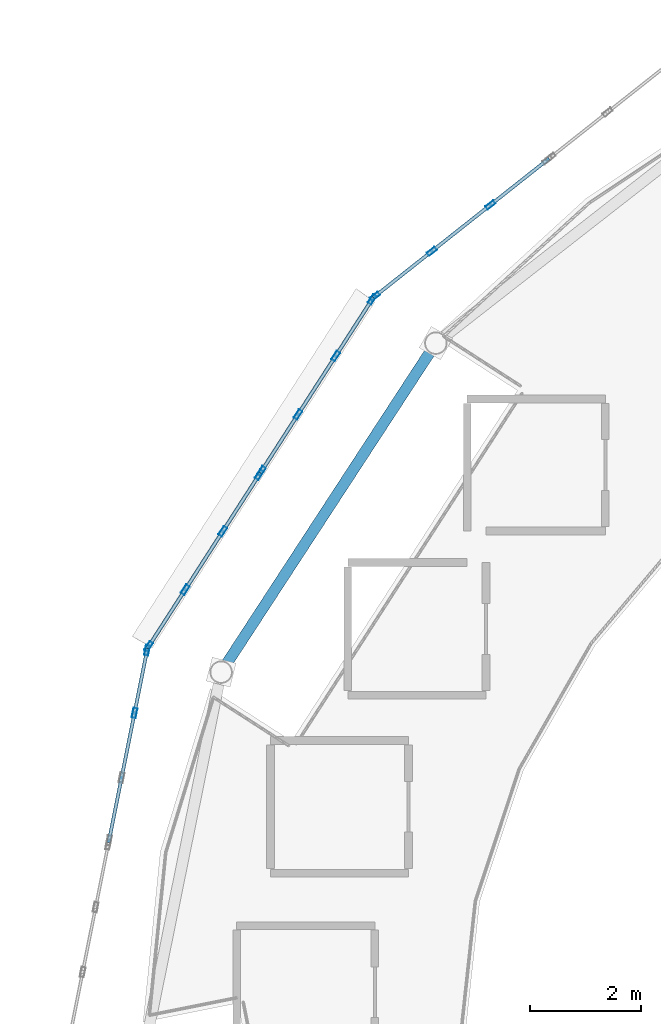
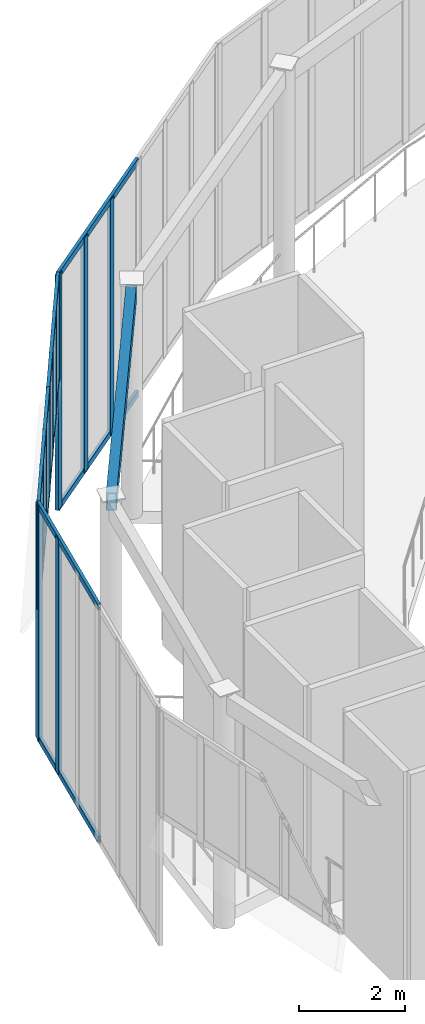
# One storey, part 43 of 98: 21 members, 1 beam, 4 elements without a shape of their own.
"""IFC4 building model written with IfcOpenShell, lengths in metres."""

from ifc_helpers import new_model, si_unit, direction, frame, origin, origin_2d, place, context, subcontext, project, spatial, hollow_rectangle, extrude, material, layer, layer_set, material_profile, profile_set, type_object, element, aggregate, save


model = new_model("IFC4")

# Units and contexts
model_context = context("Model", 3, precision=1e-05, world=origin(), true_north=direction((0.0, 1.0)))
body_context = subcontext(model_context, "Body", "Model", "MODEL_VIEW")
ifc_project = project(units=[si_unit("LENGTHUNIT", "METRE"), si_unit("AREAUNIT", "SQUARE_METRE"), si_unit("VOLUMEUNIT", "CUBIC_METRE"), si_unit("PLANEANGLEUNIT", "RADIAN"), si_unit("MASSUNIT", "GRAM", prefix="KILO")], contexts=[model_context])

# Site, building, storey
site_placement = place(None, origin())
site = spatial("IfcSite", under=ifc_project, at=site_placement, CompositionType="ELEMENT")
building_placement = place(site_placement, origin())
building = spatial("IfcBuilding", under=site, at=building_placement, Name="Sollismere Congress Hotel", CompositionType="ELEMENT")
storey_placement = place(building_placement, frame((0.0, 0.0, 5.39990234375)))
storey = spatial("IfcBuildingStorey", under=building, at=storey_placement, Name="L01", CompositionType="ELEMENT", Elevation=5.39990234375)

# Beam
ifc_material_1 = material(Name="Steel ASTM A500 Grade C", Category="steel")
ifc_material_profile_1 = material_profile(ifc_material_1, hollow_rectangle(XDim=0.199951171875, YDim=0.39990234375, WallThickness=0.011962890625, at=origin_2d()), Name="HSS400X200X12")
ifc_profile_set_1 = profile_set([ifc_material_profile_1], Name="Steel ASTM A500 Grade C")
beam_type = type_object("IfcBeamType", Name="BM-BX400", PredefinedType="HOLLOWCORE", material=ifc_profile_set_1)
beam_placement = place(storey_placement, frame((6.807861328125, 102.8486328125, 5.150146484375), z_axis=(-0.546593071312, -0.837398360635, 0.0), x_axis=(0.837398360635, -0.546593071312, 0.0)))
element("IfcBeam", 1, at=beam_placement, inside=storey, type_object=beam_type, Name="Beam BM-L01-4194", PredefinedType="HOLLOWCORE", context=body_context, shape_type="SweptSolid", body=[
    extrude(hollow_rectangle(XDim=0.199951171875, YDim=0.39990234375, WallThickness=0.011962890625, at=origin_2d()), origin(), (0.0, 0.0, 1.0), 6.867431640625),
])

# Curtain wall, members
ifc_material_2 = material(Name="Anodized Bronze Curtain Wall & Low-E Triple Glazing", Category="glass")
ifc_layer = layer(ifc_material_2, 0.199951171875, Name="Anodized Bronze Curtain Wall & Low-E Triple Glazing")
ifc_layer_set = layer_set([ifc_layer], Name="Anodized Bronze Curtain Wall & Low-E Triple Glazing")
curtain_wall_type = type_object("IfcCurtainWallType", Name="CW-GLZ36", PredefinedType="USERDEFINED", material=ifc_layer_set)
curtain_wall_1_placement = place(storey_placement, origin())
curtain_wall_1 = element("IfcCurtainWall", 2, at=curtain_wall_1_placement, inside=storey, type_object=curtain_wall_type, Name="Unitised curtain wall CW-L01-030", ObjectType="UNITISED CURTAIN WALL", PredefinedType="USERDEFINED")
ifc_material_3 = material(Name="Anodized Aluminum 6063-T6", Category="aluminium")
ifc_material_profile_2 = material_profile(ifc_material_3, hollow_rectangle(XDim=0.074951171875, YDim=0.179931640625, WallThickness=0.0048828125, at=origin_2d()), Name="ALU180X75X5")
ifc_profile_set_2 = profile_set([ifc_material_profile_2], Name="Anodized Aluminum 6063-T6")
member_type_1 = type_object("IfcMemberType", Name="ML-CW180", PredefinedType="MULLION", material=ifc_profile_set_2)
member_1_placement = place(storey_placement, frame((7.86083984375, 105.44970703125, 0.0), z_axis=(0.0, 0.0, 1.0), x_axis=(0.620532077362, -0.784181063891, 0.0)))
member_1 = element("IfcMember", 3, at=member_1_placement, type_object=member_type_1, Name="CWL-CW-L01-030-ML02", PredefinedType="MULLION", context=body_context, shape_type="SweptSolid", body=[
    extrude(hollow_rectangle(XDim=0.074951171875, YDim=0.179931640625, WallThickness=0.0048828125, at=origin_2d()), origin(), (0.0, 0.0, 1.0), 5.420166015625),
])
member_2_placement = place(storey_placement, frame((6.80078125, 104.61083984375, 0.0), z_axis=(0.0, 0.0, 1.0), x_axis=(0.620532077362, -0.784181063891, 0.0)))
member_2 = element("IfcMember", 4, at=member_2_placement, type_object=member_type_1, Name="CWL-CW-L01-030-ML03", PredefinedType="MULLION", context=body_context, shape_type="SweptSolid", body=[
    extrude(hollow_rectangle(XDim=0.074951171875, YDim=0.179931640625, WallThickness=0.0048828125, at=origin_2d()), origin(), (0.0, 0.0, 1.0), 5.420166015625),
])
member_3_placement = place(storey_placement, frame((5.7705078125, 103.795654296875, 0.0), z_axis=(0.0, 0.0, 1.0), x_axis=(0.620532077362, -0.784181063891, 0.0)))
member_3 = element("IfcMember", 5, at=member_3_placement, type_object=member_type_1, Name="CWL-CW-L01-030-ML04", PredefinedType="MULLION", context=body_context, shape_type="SweptSolid", body=[
    extrude(hollow_rectangle(XDim=0.074951171875, YDim=0.179931640625, WallThickness=0.0048828125, at=origin_2d()), origin(), (0.0, 0.0, 1.0), 5.420166015625),
])

curtain_wall_2_placement = place(storey_placement, origin())
curtain_wall_2 = element("IfcCurtainWall", 6, at=curtain_wall_2_placement, inside=storey, type_object=curtain_wall_type, Name="Unitised curtain wall CW-L01-033", ObjectType="UNITISED CURTAIN WALL", PredefinedType="USERDEFINED")
member_4_placement = place(storey_placement, frame((5.72021484375, 103.740234375, 2.989990234375), z_axis=(0.0, 0.0, 1.0), x_axis=(0.840774542547, -0.541385415951, 0.0)))
member_4 = element("IfcMember", 7, at=member_4_placement, type_object=member_type_1, Name="CWL-CW-L01-033-ML01", PredefinedType="MULLION", context=body_context, shape_type="SweptSolid", body=[
    extrude(hollow_rectangle(XDim=0.074951171875, YDim=0.179931640625, WallThickness=0.0048828125, at=origin_2d()), origin(), (0.0, 0.0, 1.0), 2.43017578125),
])
member_5_placement = place(storey_placement, frame((5.060302734375, 102.715087890625, 2.989990234375), z_axis=(0.0, 0.0, 1.0), x_axis=(0.840774542547, -0.541385415951, 0.0)))
member_5 = element("IfcMember", 8, at=member_5_placement, type_object=member_type_1, Name="CWL-CW-L01-033-ML02", PredefinedType="MULLION", context=body_context, shape_type="SweptSolid", body=[
    extrude(hollow_rectangle(XDim=0.074951171875, YDim=0.179931640625, WallThickness=0.0048828125, at=origin_2d()), origin(), (0.0, 0.0, 1.0), 2.43017578125),
])
member_6_placement = place(storey_placement, frame((4.379638671875, 101.658203125, 2.989990234375), z_axis=(0.0, 0.0, 1.0), x_axis=(0.840774542547, -0.541385415951, 0.0)))
member_6 = element("IfcMember", 9, at=member_6_placement, type_object=member_type_1, Name="CWL-CW-L01-033-ML03", PredefinedType="MULLION", context=body_context, shape_type="SweptSolid", body=[
    extrude(hollow_rectangle(XDim=0.074951171875, YDim=0.179931640625, WallThickness=0.0048828125, at=origin_2d()), origin(), (0.0, 0.0, 1.0), 2.43017578125),
])
member_7_placement = place(storey_placement, frame((3.719482421875, 100.633056640625, 2.989990234375), z_axis=(0.0, 0.0, 1.0), x_axis=(0.840774542547, -0.541385415951, 0.0)))
member_7 = element("IfcMember", 10, at=member_7_placement, type_object=member_type_1, Name="CWL-CW-L01-033-ML04", PredefinedType="MULLION", context=body_context, shape_type="SweptSolid", body=[
    extrude(hollow_rectangle(XDim=0.074951171875, YDim=0.179931640625, WallThickness=0.0048828125, at=origin_2d()), origin(), (0.0, 0.0, 1.0), 2.43017578125),
])

curtain_wall_3_placement = place(storey_placement, origin())
curtain_wall_3 = element("IfcCurtainWall", 11, at=curtain_wall_3_placement, inside=storey, type_object=curtain_wall_type, Name="Unitised curtain wall CW-L01-034", ObjectType="UNITISED CURTAIN WALL", PredefinedType="USERDEFINED")
member_8_placement = place(storey_placement, frame((3.678466796875, 100.569091796875, 2.989990234375), z_axis=(0.0, 0.0, 1.0), x_axis=(0.840774542547, -0.541385415951, 0.0)))
member_8 = element("IfcMember", 12, at=member_8_placement, type_object=member_type_1, Name="CWL-CW-L01-034-ML01", PredefinedType="MULLION", context=body_context, shape_type="SweptSolid", body=[
    extrude(hollow_rectangle(XDim=0.074951171875, YDim=0.179931640625, WallThickness=0.0048828125, at=origin_2d()), origin(), (0.0, 0.0, 1.0), 2.43017578125),
])
member_9_placement = place(storey_placement, frame((3.018310546875, 99.544189453125, 2.989990234375), z_axis=(0.0, 0.0, 1.0), x_axis=(0.840774542547, -0.541385415951, 0.0)))
member_9 = element("IfcMember", 13, at=member_9_placement, type_object=member_type_1, Name="CWL-CW-L01-034-ML02", PredefinedType="MULLION", context=body_context, shape_type="SweptSolid", body=[
    extrude(hollow_rectangle(XDim=0.074951171875, YDim=0.179931640625, WallThickness=0.0048828125, at=origin_2d()), origin(), (0.0, 0.0, 1.0), 2.43017578125),
])
member_10_placement = place(storey_placement, frame((2.337646484375, 98.487060546875, 2.989990234375), z_axis=(0.0, 0.0, 1.0), x_axis=(0.840774542547, -0.541385415951, 0.0)))
member_10 = element("IfcMember", 14, at=member_10_placement, type_object=member_type_1, Name="CWL-CW-L01-034-ML03", PredefinedType="MULLION", context=body_context, shape_type="SweptSolid", body=[
    extrude(hollow_rectangle(XDim=0.074951171875, YDim=0.179931640625, WallThickness=0.0048828125, at=origin_2d()), origin(), (0.0, 0.0, 1.0), 2.43017578125),
])
member_11_placement = place(storey_placement, frame((1.677734375, 97.4619140625, 2.989990234375), z_axis=(0.0, 0.0, 1.0), x_axis=(0.840774542547, -0.541385415951, 0.0)))
member_11 = element("IfcMember", 15, at=member_11_placement, type_object=member_type_1, Name="CWL-CW-L01-034-ML04", PredefinedType="MULLION", context=body_context, shape_type="SweptSolid", body=[
    extrude(hollow_rectangle(XDim=0.074951171875, YDim=0.179931640625, WallThickness=0.0048828125, at=origin_2d()), origin(), (0.0, 0.0, 1.0), 2.43017578125),
])

curtain_wall_4_placement = place(storey_placement, origin())
curtain_wall_4 = element("IfcCurtainWall", 16, at=curtain_wall_4_placement, inside=storey, type_object=curtain_wall_type, Name="Unitised curtain wall CW-L01-039", ObjectType="UNITISED CURTAIN WALL", PredefinedType="USERDEFINED")
member_12_placement = place(storey_placement, frame((1.649658203125, 97.392822265625, 0.0), z_axis=(0.0, 0.0, 1.0), x_axis=(0.98055305186, -0.196254203749, 0.0)))
member_12 = element("IfcMember", 17, at=member_12_placement, type_object=member_type_1, Name="CWL-CW-L01-039-ML01", PredefinedType="MULLION", context=body_context, shape_type="SweptSolid", body=[
    extrude(hollow_rectangle(XDim=0.074951171875, YDim=0.179931640625, WallThickness=0.0048828125, at=origin_2d()), origin(), (0.0, 0.0, 1.0), 5.420166015625),
])
member_13_placement = place(storey_placement, frame((1.422607421875, 96.25830078125, 0.0), z_axis=(0.0, 0.0, 1.0), x_axis=(0.98055305186, -0.196254203749, 0.0)))
member_13 = element("IfcMember", 18, at=member_13_placement, type_object=member_type_1, Name="CWL-CW-L01-039-ML02", PredefinedType="MULLION", context=body_context, shape_type="SweptSolid", body=[
    extrude(hollow_rectangle(XDim=0.074951171875, YDim=0.179931640625, WallThickness=0.0048828125, at=origin_2d()), origin(), (0.0, 0.0, 1.0), 5.420166015625),
])

# Member
ifc_material_profile_3 = material_profile(ifc_material_3, hollow_rectangle(XDim=0.06494140625, YDim=0.139892578125, WallThickness=0.00390625, at=origin_2d()), Name="ALU140X65X4")
ifc_profile_set_3 = profile_set([ifc_material_profile_3], Name="Anodized Aluminum 6063-T6")
member_type_2 = type_object("IfcMemberType", Name="TR-CW150", PredefinedType="MEMBER", material=ifc_profile_set_3)
member_14_placement = place(storey_placement, frame((8.9208984375, 106.28857421875, 0.03271484375), z_axis=(-0.78419961589, -0.620508632042, 0.0), x_axis=(0.620508632042, -0.78419961589, 0.0)))
member_14 = element("IfcMember", 19, at=member_14_placement, type_object=member_type_2, Name="CWL-CW-L01-030-TR1", PredefinedType="MEMBER", context=body_context, shape_type="SweptSolid", body=[
    extrude(hollow_rectangle(XDim=0.06494140625, YDim=0.139892578125, WallThickness=0.00390625, at=origin_2d()), origin(), (0.0, 0.0, 1.0), 4.055419921875),
])

member_15_placement = place(storey_placement, frame((8.9208984375, 106.28857421875, 5.3876953125), z_axis=(-0.78419961589, -0.620508632042, 0.0), x_axis=(0.620508632042, -0.78419961589, 0.0)))
member_15 = element("IfcMember", 20, at=member_15_placement, type_object=member_type_2, Name="CWL-CW-L01-030-TR2", PredefinedType="MEMBER", context=body_context, shape_type="SweptSolid", body=[
    extrude(hollow_rectangle(XDim=0.06494140625, YDim=0.139892578125, WallThickness=0.00390625, at=origin_2d()), origin(), (0.0, 0.0, 1.0), 4.055419921875),
])

aggregate(curtain_wall_1, [member_1, member_2, member_3, member_14, member_15])

member_16_placement = place(storey_placement, frame((5.74072265625, 103.772216796875, 3.022705078125), z_axis=(-0.541349622113, -0.840797589577, 0.0), x_axis=(0.840797589577, -0.541349622113, 0.0)))
member_16 = element("IfcMember", 21, at=member_16_placement, type_object=member_type_2, Name="CWL-CW-L01-033-TR1", PredefinedType="MEMBER", context=body_context, shape_type="SweptSolid", body=[
    extrude(hollow_rectangle(XDim=0.06494140625, YDim=0.139892578125, WallThickness=0.00390625, at=origin_2d()), origin(), (0.0, 0.0, 1.0), 3.771484375),
])

member_17_placement = place(storey_placement, frame((5.74072265625, 103.772216796875, 5.3876953125), z_axis=(-0.541349622113, -0.840797589577, 0.0), x_axis=(0.840797589577, -0.541349622113, 0.0)))
member_17 = element("IfcMember", 22, at=member_17_placement, type_object=member_type_2, Name="CWL-CW-L01-033-TR2", PredefinedType="MEMBER", context=body_context, shape_type="SweptSolid", body=[
    extrude(hollow_rectangle(XDim=0.06494140625, YDim=0.139892578125, WallThickness=0.00390625, at=origin_2d()), origin(), (0.0, 0.0, 1.0), 3.771484375),
])

aggregate(curtain_wall_2, [member_4, member_5, member_6, member_7, member_16, member_17])

member_18_placement = place(storey_placement, frame((3.698974609375, 100.60107421875, 3.022705078125), z_axis=(-0.541424846284, -0.840749151547, 0.0), x_axis=(0.840749151547, -0.541424846284, 0.0)))
member_18 = element("IfcMember", 23, at=member_18_placement, type_object=member_type_2, Name="CWL-CW-L01-034-TR1", PredefinedType="MEMBER", context=body_context, shape_type="SweptSolid", body=[
    extrude(hollow_rectangle(XDim=0.06494140625, YDim=0.139892578125, WallThickness=0.00390625, at=origin_2d()), origin(), (0.0, 0.0, 1.0), 3.771484375),
])

member_19_placement = place(storey_placement, frame((3.698974609375, 100.60107421875, 5.3876953125), z_axis=(-0.541424846284, -0.840749151547, 0.0), x_axis=(0.840749151547, -0.541424846284, 0.0)))
member_19 = element("IfcMember", 24, at=member_19_placement, type_object=member_type_2, Name="CWL-CW-L01-034-TR2", PredefinedType="MEMBER", context=body_context, shape_type="SweptSolid", body=[
    extrude(hollow_rectangle(XDim=0.06494140625, YDim=0.139892578125, WallThickness=0.00390625, at=origin_2d()), origin(), (0.0, 0.0, 1.0), 3.771484375),
])

aggregate(curtain_wall_3, [member_8, member_9, member_10, member_11, member_18, member_19])

member_20_placement = place(storey_placement, frame((1.656982421875, 97.43017578125, 0.03271484375), z_axis=(-0.196207812831, -0.980562335695, 0.0), x_axis=(0.980562335695, -0.196207812831, 0.0)))
member_20 = element("IfcMember", 25, at=member_20_placement, type_object=member_type_2, Name="CWL-CW-L01-039-TR1", PredefinedType="MEMBER", context=body_context, shape_type="SweptSolid", body=[
    extrude(hollow_rectangle(XDim=0.06494140625, YDim=0.139892578125, WallThickness=0.00390625, at=origin_2d()), origin(), (0.0, 0.0, 1.0), 3.584716796875),
])

member_21_placement = place(storey_placement, frame((1.656982421875, 97.43017578125, 5.3876953125), z_axis=(-0.196207812831, -0.980562335695, 0.0), x_axis=(0.980562335695, -0.196207812831, 0.0)))
member_21 = element("IfcMember", 26, at=member_21_placement, type_object=member_type_2, Name="CWL-CW-L01-039-TR2", PredefinedType="MEMBER", context=body_context, shape_type="SweptSolid", body=[
    extrude(hollow_rectangle(XDim=0.06494140625, YDim=0.139892578125, WallThickness=0.00390625, at=origin_2d()), origin(), (0.0, 0.0, 1.0), 3.584716796875),
])

aggregate(curtain_wall_4, [member_12, member_13, member_20, member_21])

save(model, "model.ifc")
